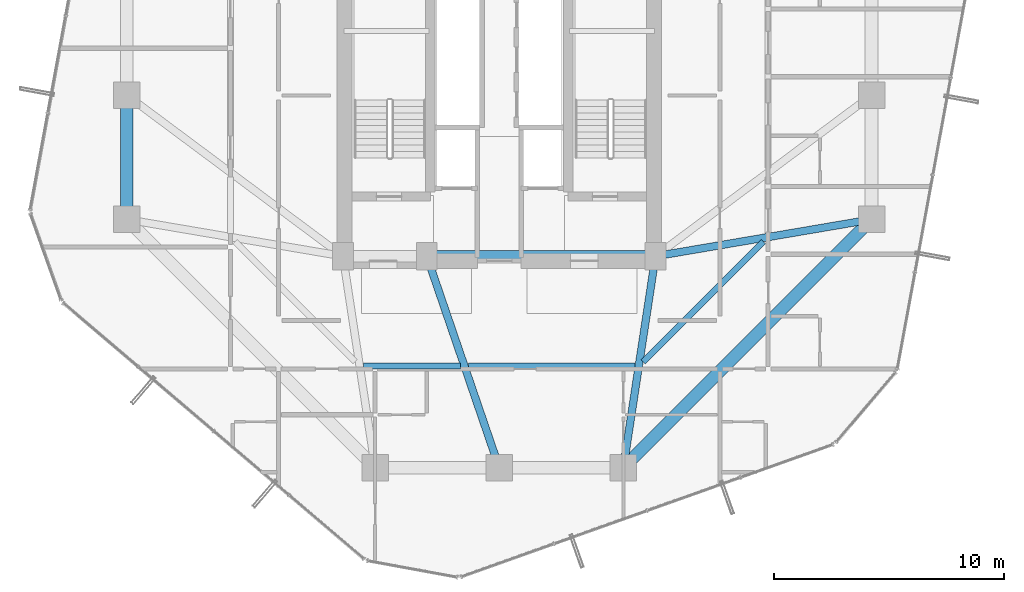
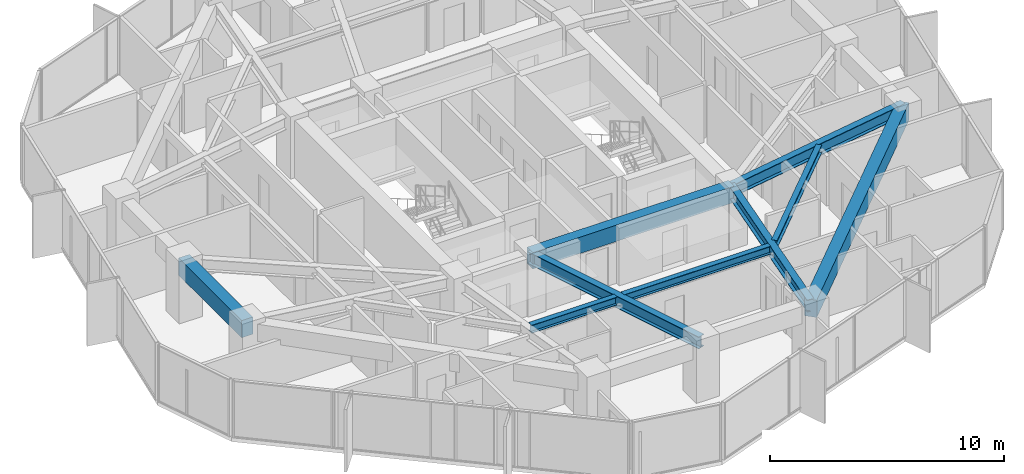
# One storey, part 10 of 33: 9 beams.
"""IFC4 building model written with IfcOpenShell, lengths in metres."""

from ifc_helpers import new_model, si_unit, direction, frame, origin, origin_2d, place, context, subcontext, project, spatial, rectangle, i_section, extrude, material, material_profile, profile_set, type_object, element, save


model = new_model("IFC4")

# Units and contexts
model_context = context("Model", 3, precision=1e-05, world=origin(), true_north=direction((0.0, 1.0)))
body_context = subcontext(model_context, "Body", "Model", "MODEL_VIEW")
ifc_project = project(units=[si_unit("LENGTHUNIT", "METRE"), si_unit("AREAUNIT", "SQUARE_METRE"), si_unit("VOLUMEUNIT", "CUBIC_METRE"), si_unit("PLANEANGLEUNIT", "RADIAN"), si_unit("MASSUNIT", "GRAM", prefix="KILO")], contexts=[model_context])

# Site, building, storey
site_placement = place(None, origin())
site = spatial("IfcSite", under=ifc_project, at=site_placement, CompositionType="ELEMENT")
building_placement = place(site_placement, origin())
building = spatial("IfcBuilding", under=site, at=building_placement, Name="Veraguas Prism Commons", CompositionType="ELEMENT")
storey_placement = place(building_placement, frame((0.0, 0.0, 92.699951171875)))
storey = spatial("IfcBuildingStorey", under=building, at=storey_placement, Name="L25", CompositionType="ELEMENT", Elevation=92.699951171875)

# Beams
ifc_material_1 = material(Name="Concrete C50/60", Category="concrete")
ifc_material_profile_1 = material_profile(ifc_material_1, rectangle(XDim=0.5, YDim=0.85009765625, at=origin_2d()), Name="RC500X850")
ifc_profile_set_1 = profile_set([ifc_material_profile_1], Name="Concrete C50/60")
beam_type_1 = type_object("IfcBeamType", Name="Core Coupling Beam RC 500x850", PredefinedType="BEAM", material=ifc_profile_set_1)
beam_1_placement = place(storey_placement, frame((20.85009765625, 17.0, 2.574951171875), z_axis=(1.0, 0.0, 0.0), x_axis=(0.0, 1.0, 0.0)))
element("IfcBeam", 1, at=beam_1_placement, inside=storey, type_object=beam_type_1, Name="Core Coupling Beam L25-CRS2", PredefinedType="BEAM", context=body_context, shape_type="SweptSolid", body=[
    extrude(rectangle(XDim=0.5, YDim=0.85009765625, at=origin_2d()), origin(), (0.0, 0.0, 1.0), 9.949951171875),
])
ifc_material_2 = material(Name="Steel ASTM A992 Grade 50", Category="steel")
ifc_material_profile_2 = material_profile(ifc_material_2, i_section(OverallWidth=0.260986328125, OverallDepth=0.419921875, WebThickness=0.01171875, FlangeThickness=0.019287109375, at=origin_2d()), Name="W410X114")
ifc_profile_set_2 = profile_set([ifc_material_profile_2], Name="Steel ASTM A992 Grade 50")
beam_type_2 = type_object("IfcBeamType", Name="Lower Floor Joist W410x114", PredefinedType="JOIST", material=ifc_profile_set_2)
beam_2_placement = place(storey_placement, frame((18.091796875, 12.216064453125, 2.7900390625), z_axis=(1.0, 0.0, 0.0), x_axis=(0.0, 1.0, 0.0)))
element("IfcBeam", 2, at=beam_2_placement, inside=storey, type_object=beam_type_2, Name="Composite Floor Joist L25-JS10", PredefinedType="JOIST", context=body_context, shape_type="SweptSolid", body=[
    extrude(i_section(OverallWidth=0.260986328125, OverallDepth=0.419921875, WebThickness=0.01171875, FlangeThickness=0.019287109375, at=origin_2d()), origin(), (0.0, 0.0, 1.0), 4.22509765625),
])
beam_3_placement = place(storey_placement, frame((22.6591796875, 12.216064453125, 2.7900390625), z_axis=(1.0, 0.0, 0.0), x_axis=(0.0, 1.0, 0.0)))
element("IfcBeam", 3, at=beam_3_placement, inside=storey, type_object=beam_type_2, Name="Composite Floor Joist L25-JS11", PredefinedType="JOIST", context=body_context, shape_type="SweptSolid", body=[
    extrude(i_section(OverallWidth=0.260986328125, OverallDepth=0.419921875, WebThickness=0.01171875, FlangeThickness=0.019287109375, at=origin_2d()), origin(), (0.0, 0.0, 1.0), 7.2490234375),
])
beam_4_placement = place(storey_placement, frame((30.265380859375, 12.4091796875, 2.7900390625), z_axis=(0.707090260193, 0.707123301794, 0.0), x_axis=(-0.707123301794, 0.707090260193, 0.0)))
element("IfcBeam", 4, at=beam_4_placement, inside=storey, type_object=beam_type_2, Name="Composite Floor Joist L25-JS12", PredefinedType="JOIST", context=body_context, shape_type="SweptSolid", body=[
    extrude(i_section(OverallWidth=0.260986328125, OverallDepth=0.419921875, WebThickness=0.01171875, FlangeThickness=0.019287109375, at=origin_2d()), origin(), (0.0, 0.0, 1.0), 7.388916015625),
])
ifc_material_profile_3 = material_profile(ifc_material_1, rectangle(XDim=0.550048828125, YDim=0.89990234375, at=origin_2d()), Name="RC550X900")
ifc_profile_set_3 = profile_set([ifc_material_profile_3], Name="Concrete C50/60")
beam_type_3 = type_object("IfcBeamType", Name="Perimeter Spandrel Lower RC 550x900", PredefinedType="SPANDREL", material=ifc_profile_set_3)
beam_5_placement = place(storey_placement, frame((7.800048828125, 24.0, 2.550048828125), z_axis=(0.0, -1.0, 0.0), x_axis=(1.0, 0.0, 0.0)))
element("IfcBeam", 5, at=beam_5_placement, inside=storey, type_object=beam_type_3, Name="Perimeter Spandrel Beam L25-SP08", PredefinedType="SPANDREL", context=body_context, shape_type="SweptSolid", body=[
    extrude(rectangle(XDim=0.550048828125, YDim=0.89990234375, at=origin_2d()), origin(), (0.0, 0.0, 1.0), 5.39990234375),
])
beam_6_placement = place(storey_placement, frame((29.39990234375, 7.800048828125, 2.550048828125), z_axis=(0.707106781187, 0.707106781187, 0.0), x_axis=(-0.707106781187, 0.707106781187, 0.0)))
element("IfcBeam", 6, at=beam_6_placement, inside=storey, type_object=beam_type_3, Name="Perimeter Spandrel Beam L25-SP12", PredefinedType="SPANDREL", context=body_context, shape_type="SweptSolid", body=[
    extrude(rectangle(XDim=0.550048828125, YDim=0.89990234375, at=origin_2d()), origin(), (0.0, 0.0, 1.0), 15.273681640625),
])
ifc_material_profile_4 = material_profile(ifc_material_2, i_section(OverallWidth=0.327880859375, OverallDepth=0.6220703125, WebThickness=0.015380859375, FlangeThickness=0.0244140625, at=origin_2d()), Name="W610X195")
ifc_profile_set_4 = profile_set([ifc_material_profile_4], Name="Steel ASTM A992 Grade 50")
beam_type_4 = type_object("IfcBeamType", Name="Zone 2 Radial Girder W610x195", PredefinedType="BEAM", material=ifc_profile_set_4)
beam_7_placement = place(storey_placement, frame((40.199951171875, 18.60009765625, 2.68896484375), z_axis=(-0.985819187151, -0.1678109956, 0.0), x_axis=(0.1678109956, -0.985819187151, 0.0)))
element("IfcBeam", 7, at=beam_7_placement, inside=storey, type_object=beam_type_4, Name="Radial Floor Girder L25-RD01", PredefinedType="BEAM", context=body_context, shape_type="SweptSolid", body=[
    extrude(i_section(OverallWidth=0.327880859375, OverallDepth=0.6220703125, WebThickness=0.015380859375, FlangeThickness=0.0244140625, at=origin_2d()), origin(), (0.0, 0.0, 1.0), 9.53515625),
])
beam_8_placement = place(storey_placement, frame((24.0, 7.800048828125, 2.68896484375), z_axis=(-0.323922482989, 0.946083624747, 0.0), x_axis=(-0.946083624747, -0.323922482989, 0.0)))
element("IfcBeam", 8, at=beam_8_placement, inside=storey, type_object=beam_type_4, Name="Radial Floor Girder L25-RD11", PredefinedType="BEAM", context=body_context, shape_type="SweptSolid", body=[
    extrude(i_section(OverallWidth=0.327880859375, OverallDepth=0.6220703125, WebThickness=0.015380859375, FlangeThickness=0.0244140625, at=origin_2d()), origin(), (0.0, 0.0, 1.0), 9.724365234375),
])
beam_9_placement = place(storey_placement, frame((29.39990234375, 7.800048828125, 2.68896484375), z_axis=(0.150458162136, 0.98861637729, 0.0), x_axis=(-0.98861637729, 0.150458162136, 0.0)))
element("IfcBeam", 9, at=beam_9_placement, inside=storey, type_object=beam_type_4, Name="Radial Floor Girder L25-RD12", PredefinedType="BEAM", context=body_context, shape_type="SweptSolid", body=[
    extrude(i_section(OverallWidth=0.327880859375, OverallDepth=0.6220703125, WebThickness=0.015380859375, FlangeThickness=0.0244140625, at=origin_2d()), origin(), (0.0, 0.0, 1.0), 9.305908203125),
])

save(model, "model.ifc")
